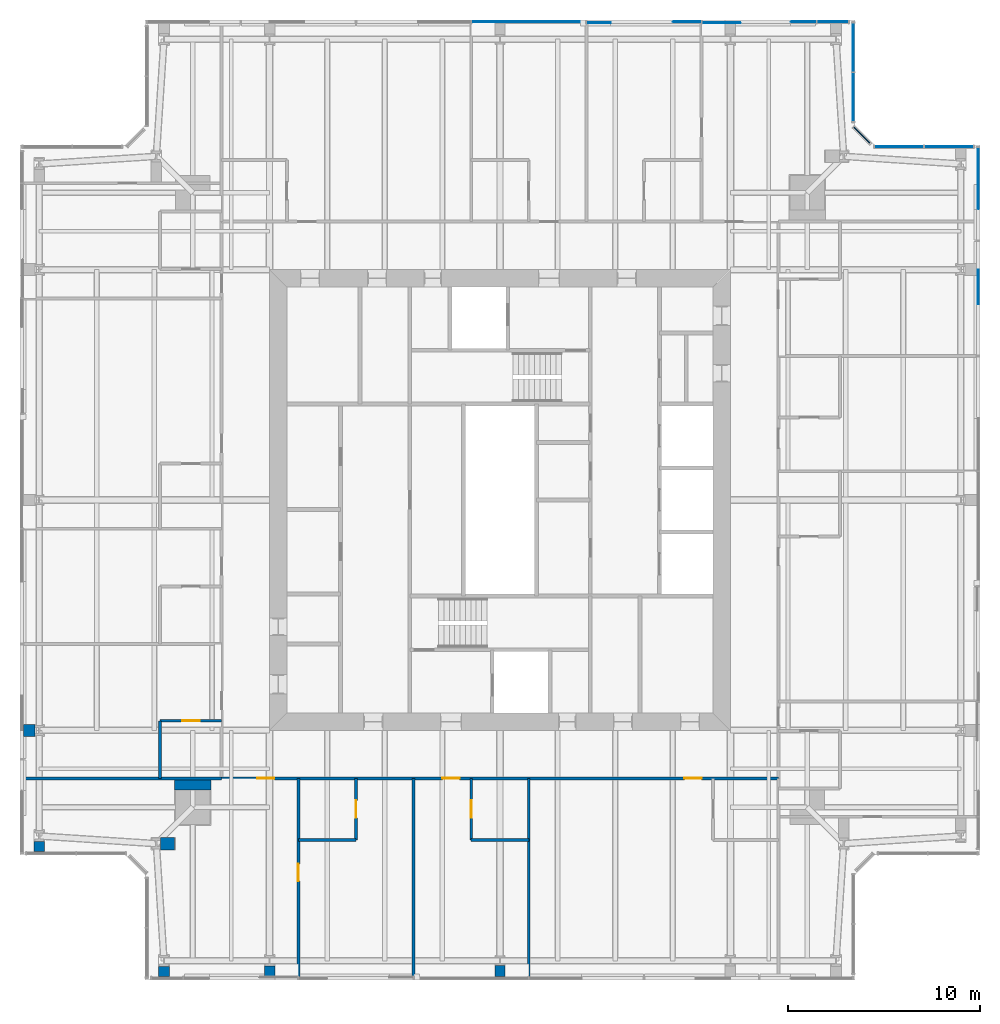
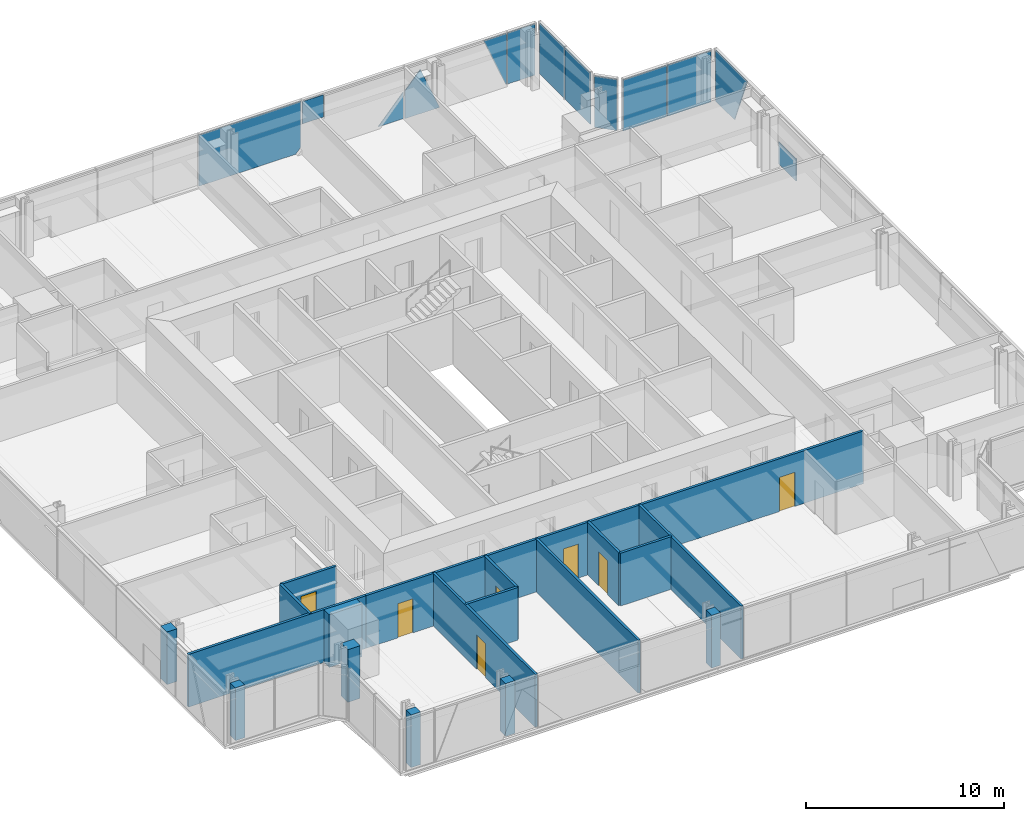
# One storey, part 11 of 18: 18 walls, 13 plates, 7 doors, 7 openings, 5 elements without a shape of their own.
"""IFC4 building model written with IfcOpenShell, lengths in metres."""

import ifcopenshell
import ifcopenshell.guid

model = None  # the IFC model being written
_history = None  # IfcOwnerHistory: only IFC2X3 demands one
_inside = {}  # id of a spatial element -> (the spatial element, [elements in it])
_under = {}  # id of a project, library or spatial element -> (it, [spatial elements below it])
_declared = {}  # id of a project -> (the project, [libraries it declares])
_typed = {}  # id of a type object -> (the type object, [elements of that type])
_made_of = {}  # id of a material, layer set ... -> (it, [elements and type objects made of it])


def new_model(schema):
    """Start an empty IFC model of exactly this schema.

    Asked for "IFC4X3", IfcOpenShell would pick the latest addendum, in which some entities
    have other attributes; the version numbers below select the first issue.
    IFC2X3 requires an IfcOwnerHistory on every rooted entity: one is made here for all.
    """
    global model, _history
    if schema == "IFC4X3":
        model = ifcopenshell.file(schema_version=(4, 3, 0, 0))
    else:
        model = ifcopenshell.file(schema=schema)
    _inside.clear()
    _under.clear()
    _declared.clear()
    _typed.clear()
    _made_of.clear()
    _history = None
    if model.schema == "IFC2X3":
        org = make("IfcOrganization", Name="unknown")
        user = make(
            "IfcPersonAndOrganization",
            ThePerson=make("IfcPerson", FamilyName="unknown"),
            TheOrganization=org,
        )
        app = make(
            "IfcApplication",
            ApplicationDeveloper=org,
            Version="unknown",
            ApplicationFullName="unknown",
            ApplicationIdentifier="unknown",
        )
        _history = make(
            "IfcOwnerHistory",
            OwningUser=user,
            OwningApplication=app,
            ChangeAction="ADDED",
            CreationDate=0,
        )
    return model


def make(cls, **values):
    """One entity of the class cls with the attributes given. An attribute that is None is left unset."""
    return model.create_entity(
        cls, **{name: value for name, value in values.items() if value is not None}
    )


def rooted(cls, **values):
    """An entity with a GlobalId (a new one), such as an element, a storey or a relation."""
    return make(cls, GlobalId=ifcopenshell.guid.new(), OwnerHistory=_history, **values)


def si_unit(unit_type, name, prefix=None):
    """IfcSIUnit, for example si_unit("LENGTHUNIT", "METRE", prefix="MILLI")."""
    return make("IfcSIUnit", UnitType=unit_type, Prefix=prefix, Name=name)


def assignment(units):
    """IfcUnitAssignment: the units of a project."""
    return None if units is None else make("IfcUnitAssignment", Units=units)


def point(xyz):
    """IfcCartesianPoint."""
    return None if xyz is None else make("IfcCartesianPoint", Coordinates=xyz)


def direction(xyz):
    """IfcDirection."""
    return None if xyz is None else make("IfcDirection", DirectionRatios=xyz)


def frame(location, z_axis=None, x_axis=None):
    """IfcAxis2Placement3D, a coordinate frame: its origin and axes. An axis left out is left unset."""
    return make(
        "IfcAxis2Placement3D",
        Location=point(location),
        Axis=direction(z_axis),
        RefDirection=direction(x_axis),
    )


def frame_2d(location, x_axis=None):
    """IfcAxis2Placement2D, a coordinate frame in the plane: its origin and x axis."""
    return make(
        "IfcAxis2Placement2D", Location=point(location), RefDirection=direction(x_axis)
    )


def origin():
    """The frame at (0, 0, 0) with its axes left unset."""
    return frame((0.0, 0.0, 0.0))


def origin_2d():
    """The frame at (0, 0) in the plane with its x axis left unset."""
    return frame_2d((0.0, 0.0))


def place(relative_to, where):
    """IfcLocalPlacement: puts the frame where relative to a parent placement (None: the world)."""
    return make(
        "IfcLocalPlacement", PlacementRelTo=relative_to, RelativePlacement=where
    )


def context(
    kind, dimensions, precision=None, world=None, true_north=None, identifier=None
):
    """IfcGeometricRepresentationContext, for example the 3D "Model" context."""
    return make(
        "IfcGeometricRepresentationContext",
        ContextIdentifier=identifier,
        ContextType=kind,
        CoordinateSpaceDimension=dimensions,
        Precision=precision,
        WorldCoordinateSystem=world,
        TrueNorth=true_north,
    )


def subcontext(parent, identifier, kind, view, scale=None):
    """IfcGeometricRepresentationSubContext, for example "Body" below "Model"."""
    return make(
        "IfcGeometricRepresentationSubContext",
        ContextIdentifier=identifier,
        ContextType=kind,
        ParentContext=parent,
        TargetScale=scale,
        TargetView=view,
    )


def project(units=None, contexts=None):
    """IfcProject with its units and contexts."""
    return rooted(
        "IfcProject",
        Name="project",
        RepresentationContexts=contexts,
        UnitsInContext=assignment(units),
    )


def spatial(cls, under=None, at=None, **own):
    """A site, building, storey or space (cls), placed at a placement, below another one or the project."""
    s = rooted(cls, ObjectPlacement=at, **own)
    if under is not None:
        _under.setdefault(under.id(), (under, []))[1].append(s)
    return s


def polyline(points):
    """IfcPolyline through the points."""
    return make("IfcPolyline", Points=[point(p) for p in points])


def profile(cls, at=None, kind="AREA", **sizes):
    """A parametric profile (cls). Its sizes go by their IFC names, for example OverallWidth=200.0."""
    return make(cls, ProfileType=kind, Position=at, **sizes)


def rectangle(**sizes):
    """IfcRectangleProfileDef."""
    return profile("IfcRectangleProfileDef", **sizes)


def outline(outer, holes=None, kind="AREA"):
    """IfcArbitraryClosedProfileDef: a profile drawn as a closed curve; with holes, ...WithVoids."""
    if holes is None:
        return make("IfcArbitraryClosedProfileDef", ProfileType=kind, OuterCurve=outer)
    return make(
        "IfcArbitraryProfileDefWithVoids",
        ProfileType=kind,
        OuterCurve=outer,
        InnerCurves=holes,
    )


def extrude(swept, where, along, depth):
    """IfcExtrudedAreaSolid: the profile swept, set in the frame where, extruded along a direction by depth."""
    return make(
        "IfcExtrudedAreaSolid",
        SweptArea=swept,
        Position=where,
        ExtrudedDirection=direction(along),
        Depth=depth,
    )


def shape(context_of_items, identifier, shape_type, items):
    """IfcShapeRepresentation: the items that make up one representation, for example the "Body"."""
    return make(
        "IfcShapeRepresentation",
        ContextOfItems=context_of_items,
        RepresentationIdentifier=identifier,
        RepresentationType=shape_type,
        Items=items,
    )


def material(Name=None, Category=None):
    """IfcMaterial."""
    return make("IfcMaterial", Name=Name, Category=Category)


def layer(
    of_material, thickness, ventilated=None, Name=None, Category=None, Priority=None
):
    """IfcMaterialLayer: one layer of a wall or slab, of a material (None: an air gap)."""
    return make(
        "IfcMaterialLayer",
        Material=of_material,
        LayerThickness=thickness,
        IsVentilated=ventilated,
        Name=Name,
        Category=Category,
        Priority=Priority,
    )


def layer_set(layers, Name=None):
    """IfcMaterialLayerSet."""
    return make("IfcMaterialLayerSet", MaterialLayers=layers, LayerSetName=Name)


def made_of(thing, what):
    """Note that an element or type object is made of a material, layer set ...; save() writes the relation."""
    if what is not None:
        _made_of.setdefault(what.id(), (what, []))[1].append(thing)
    return thing


def type_object(cls, material=None, **own):
    """A type object (cls), such as IfcWallType, which elements share."""
    return made_of(rooted(cls, **own), material)


def element(
    cls,
    number,
    at=None,
    inside=None,
    cuts=None,
    type_object=None,
    material=None,
    context=None,
    identifier="Body",
    shape_type=None,
    held_by="IfcProductDefinitionShape",
    body=None,
    shapes=None,
    **own,
):
    """One element of the class cls, such as IfcWall. Its Tag is "e" and its number.

    at: its placement. inside: the storey or other place that contains it. cuts: it is an
    opening in that element (IfcRelVoidsElement). A single representation is given by context,
    identifier, shape_type and body (its items); several are given by shapes. held_by: the class
    of the entity that holds the representations. save() writes the other relations.
    """
    e = rooted(cls, Tag="e%d" % number, ObjectPlacement=at, **own)
    if body is not None:
        shapes = [shape(context, identifier, shape_type, body)]
    if shapes is not None:
        e.Representation = make(held_by, Representations=shapes)
    if inside is not None:
        _inside.setdefault(inside.id(), (inside, []))[1].append(e)
    if cuts is not None:
        rooted(
            "IfcRelVoidsElement", RelatingBuildingElement=cuts, RelatedOpeningElement=e
        )
    if type_object is not None:
        _typed.setdefault(type_object.id(), (type_object, []))[1].append(e)
    return made_of(e, material)


def fill(opening, filler):
    """IfcRelFillsElement: the door or window that sits in an opening."""
    return rooted(
        "IfcRelFillsElement",
        RelatingOpeningElement=opening,
        RelatedBuildingElement=filler,
    )


def aggregate(whole, parts):
    """IfcRelAggregates: a whole, such as a stair, and the parts it consists of."""
    return rooted("IfcRelAggregates", RelatingObject=whole, RelatedObjects=parts)


def save(model, path):
    """Write the relations noted so far, then the file.

    IfcRelAggregates (storeys below a building ...), IfcRelContainedInSpatialStructure (elements
    in a storey), IfcRelDefinesByType, IfcRelAssociatesMaterial and IfcRelDeclares: one each for
    every whole, place, type object, material and project.
    """
    for whole, parts in _under.values():
        aggregate(whole, parts)
    for where, things in _inside.values():
        rooted(
            "IfcRelContainedInSpatialStructure",
            RelatedElements=things,
            RelatingStructure=where,
        )
    for kind, things in _typed.values():
        rooted("IfcRelDefinesByType", RelatedObjects=things, RelatingType=kind)
    for what, things in _made_of.values():
        rooted("IfcRelAssociatesMaterial", RelatedObjects=things, RelatingMaterial=what)
    for by, libraries in _declared.values():
        rooted("IfcRelDeclares", RelatingContext=by, RelatedDefinitions=libraries)
    model.write(path)


model = new_model("IFC4")

# Units and contexts
model_context = context("Model", 3, precision=1e-05, world=origin(), true_north=direction((0.0, 1.0)))
body_context = subcontext(model_context, "Body", "Model", "MODEL_VIEW")
ifc_project = project(units=[si_unit("LENGTHUNIT", "METRE"), si_unit("AREAUNIT", "SQUARE_METRE"), si_unit("VOLUMEUNIT", "CUBIC_METRE"), si_unit("PLANEANGLEUNIT", "RADIAN"), si_unit("MASSUNIT", "GRAM", prefix="KILO")], contexts=[model_context])

# Site, building, storey
site_placement = place(None, origin())
site = spatial("IfcSite", under=ifc_project, at=site_placement, CompositionType="ELEMENT")
building_placement = place(site_placement, origin())
building = spatial("IfcBuilding", under=site, at=building_placement, Name="Fenwick Lantern Interchange", CompositionType="ELEMENT")
storey_placement = place(building_placement, frame((0.0, 0.0, 290.0)))
storey = spatial("IfcBuildingStorey", under=building, at=storey_placement, Name="L70", CompositionType="ELEMENT", Elevation=290.0)

# Curtain wall, plates
ifc_material_1 = material(Name="Aluminium curtain wall frame", Category="aluminium")
curtain_wall_type = type_object("IfcCurtainWallType", Name="HOTEL CURTAIN WALL", PredefinedType="USERDEFINED", material=ifc_material_1)
curtain_wall_1_placement = place(storey_placement, origin())
curtain_wall_1 = element("IfcCurtainWall", 1, at=curtain_wall_1_placement, inside=storey, type_object=curtain_wall_type, Name="Hotel curtain wall 05", ObjectType="HOTEL CURTAIN WALL", PredefinedType="USERDEFINED")
ifc_material_2 = material(Name="Vision glass, acoustic laminated double glazed unit", Category="glass")
ifc_layer_1 = layer(ifc_material_2, 0.052001953125)
ifc_layer_set_1 = layer_set([ifc_layer_1], Name="HOTEL CURTAIN WALL PANEL 52")
plate_type = type_object("IfcPlateType", Name="HOTEL CURTAIN WALL PANEL 52", PredefinedType="CURTAIN_PANEL", material=ifc_layer_set_1)
plate_1_placement = place(storey_placement, frame((49.89990234375, 6.60009765625, 0.0), z_axis=(0.0, 0.0, 1.0), x_axis=(0.0, 1.0, 0.0)))
plate_1 = element("IfcPlate", 2, at=plate_1_placement, type_object=plate_type, Name="L70/CW/05/P05a", PredefinedType="CURTAIN_PANEL", context=body_context, shape_type="SweptSolid", body=[
    extrude(outline(polyline([(28.599853515625, 0.0), (30.385009765625, 0.0), (30.385009765625, 1.348388671875), (28.599853515625, 1.348388671875), (28.599853515625, 0.0)])), frame((0.0, 0.02587890625, 0.0), z_axis=(0.0, -1.0, 0.0), x_axis=(1.0, 0.0, 0.0)), (0.0, 0.0, 1.0), 0.052001953125),
])
plate_2_placement = place(storey_placement, frame((49.89990234375, 6.60009765625, 0.0), z_axis=(0.0, 0.0, 1.0), x_axis=(0.0, 1.0, 0.0)))
plate_2 = element("IfcPlate", 3, at=plate_2_placement, type_object=plate_type, Name="L70/CW/05/P06a", PredefinedType="CURTAIN_PANEL", context=body_context, shape_type="SweptSolid", body=[
    extrude(outline(polyline([(34.8232421875, 0.0), (36.739990234375, 0.0), (36.739990234375, 3.14990234375), (33.53857421875, 3.14990234375), (34.8232421875, 0.0)])), frame((0.0, 0.02587890625, 0.0), z_axis=(0.0, -1.0, 0.0), x_axis=(1.0, 0.0, 0.0)), (0.0, 0.0, 1.0), 0.052001953125),
])
aggregate(curtain_wall_1, [plate_1, plate_2])

curtain_wall_2_placement = place(storey_placement, origin())
curtain_wall_2 = element("IfcCurtainWall", 4, at=curtain_wall_2_placement, inside=storey, type_object=curtain_wall_type, Name="Hotel curtain wall 06", ObjectType="HOTEL CURTAIN WALL", PredefinedType="USERDEFINED")
plate_3_placement = place(storey_placement, frame((48.374755859375, 43.39990234375, 0.0), z_axis=(0.0, 0.0, 1.0), x_axis=(-1.0, 0.0, 0.0)))
plate_3 = element("IfcPlate", 5, at=plate_3_placement, type_object=plate_type, Name="L70/CW/06/P00", PredefinedType="CURTAIN_PANEL", context=body_context, shape_type="SweptSolid", body=[
    extrude(rectangle(XDim=2.53076171875, YDim=0.052001953125, at=origin_2d()), origin(), (0.0, 0.0, 1.0), 3.14990234375),
])
plate_4_placement = place(storey_placement, frame((45.783935546875, 43.39990234375, 0.0), z_axis=(0.0, 0.0, 1.0), x_axis=(-1.0, 0.0, 0.0)))
plate_4 = element("IfcPlate", 6, at=plate_4_placement, type_object=plate_type, Name="L70/CW/06/P01", PredefinedType="CURTAIN_PANEL", context=body_context, shape_type="SweptSolid", body=[
    extrude(rectangle(XDim=2.53076171875, YDim=0.052001953125, at=origin_2d()), origin(), (0.0, 0.0, 1.0), 3.14990234375),
])
aggregate(curtain_wall_2, [plate_3, plate_4])

# Curtain wall, plate
curtain_wall_3_placement = place(storey_placement, origin())
curtain_wall_3 = element("IfcCurtainWall", 7, at=curtain_wall_3_placement, inside=storey, type_object=curtain_wall_type, Name="Hotel curtain wall 07", ObjectType="HOTEL CURTAIN WALL", PredefinedType="USERDEFINED")
plate_5_placement = place(storey_placement, frame((43.858642578125, 44.0, 0.0), z_axis=(0.0, 0.0, 1.0), x_axis=(-0.707106781187, 0.707106781187, 0.0)))
plate_5 = element("IfcPlate", 8, at=plate_5_placement, type_object=plate_type, Name="L70/CW/07/P00", PredefinedType="CURTAIN_PANEL", context=body_context, shape_type="SweptSolid", body=[
    extrude(rectangle(XDim=1.177001953125, YDim=0.052001953125, at=origin_2d()), origin(), (0.0, 0.0, 1.0), 3.14990234375),
])
aggregate(curtain_wall_3, [plate_5])

# Curtain wall, plates
curtain_wall_4_placement = place(storey_placement, origin())
curtain_wall_4 = element("IfcCurtainWall", 9, at=curtain_wall_4_placement, inside=storey, type_object=curtain_wall_type, Name="Hotel curtain wall 08", ObjectType="HOTEL CURTAIN WALL", PredefinedType="USERDEFINED")
plate_6_placement = place(storey_placement, frame((43.39990234375, 45.98388671875, 0.0), z_axis=(0.0, 0.0, 1.0), x_axis=(0.0, 1.0, 0.0)))
plate_6 = element("IfcPlate", 10, at=plate_6_placement, type_object=plate_type, Name="L70/CW/08/P00", PredefinedType="CURTAIN_PANEL", context=body_context, shape_type="SweptSolid", body=[
    extrude(rectangle(XDim=2.53076171875, YDim=0.052001953125, at=origin_2d()), origin(), (0.0, 0.0, 1.0), 3.14990234375),
])
plate_7_placement = place(storey_placement, frame((43.39990234375, 48.57470703125, 0.0), z_axis=(0.0, 0.0, 1.0), x_axis=(0.0, 1.0, 0.0)))
plate_7 = element("IfcPlate", 11, at=plate_7_placement, type_object=plate_type, Name="L70/CW/08/P01", PredefinedType="CURTAIN_PANEL", context=body_context, shape_type="SweptSolid", body=[
    extrude(rectangle(XDim=2.53076171875, YDim=0.052001953125, at=origin_2d()), origin(), (0.0, 0.0, 1.0), 3.14990234375),
])
aggregate(curtain_wall_4, [plate_6, plate_7])

curtain_wall_5_placement = place(storey_placement, origin())
curtain_wall_5 = element("IfcCurtainWall", 12, at=curtain_wall_5_placement, inside=storey, type_object=curtain_wall_type, Name="Hotel curtain wall 09", ObjectType="HOTEL CURTAIN WALL", PredefinedType="USERDEFINED")
plate_8_placement = place(storey_placement, frame((42.3349609375, 49.89990234375, 0.0), z_axis=(0.0, 0.0, 1.0), x_axis=(-1.0, 0.0, 0.0)))
plate_8 = element("IfcPlate", 13, at=plate_8_placement, type_object=plate_type, Name="L70/CW/09/P00", PredefinedType="CURTAIN_PANEL", context=body_context, shape_type="SweptSolid", body=[
    extrude(rectangle(XDim=1.610107421875, YDim=0.052001953125, at=origin_2d()), origin(), (0.0, 0.0, 1.0), 3.14990234375),
])
plate_9_placement = place(storey_placement, frame((43.39990234375, 49.89990234375, 0.0), z_axis=(0.0, 0.0, 1.0), x_axis=(-1.0, 0.0, 0.0)))
plate_9 = element("IfcPlate", 14, at=plate_9_placement, type_object=plate_type, Name="L70/CW/09/P01a", PredefinedType="CURTAIN_PANEL", context=body_context, shape_type="SweptSolid", body=[
    extrude(outline(polyline([(1.929931640625, 0.0), (1.9765625, 0.0), (3.261474609375, 3.14990234375), (1.929931640625, 3.14990234375), (1.929931640625, 0.0)])), frame((0.0, 0.02587890625, 0.0), z_axis=(0.0, -1.0, 0.0), x_axis=(1.0, 0.0, 0.0)), (0.0, 0.0, 1.0), 0.052001953125),
])
plate_10_placement = place(storey_placement, frame((43.39990234375, 49.89990234375, 0.0), z_axis=(0.0, 0.0, 1.0), x_axis=(-1.0, 0.0, 0.0)))
plate_10 = element("IfcPlate", 15, at=plate_10_placement, type_object=plate_type, Name="L70/CW/09/P01b", PredefinedType="CURTAIN_PANEL", context=body_context, shape_type="SweptSolid", body=[
    extrude(outline(polyline([(5.864501953125, 0.0), (7.8701171875, 0.0), (7.8701171875, 1.719482421875), (6.975830078125, 2.724365234375), (5.864501953125, 0.0)])), frame((0.0, 0.080078125, 0.0), z_axis=(0.0, -1.0, 0.0), x_axis=(1.0, 0.0, 0.0)), (0.0, 0.0, 1.0), 0.052001953125),
])
plate_11_placement = place(storey_placement, frame((43.39990234375, 49.89990234375, 0.0), z_axis=(0.0, 0.0, 1.0), x_axis=(-1.0, 0.0, 0.0)))
plate_11 = element("IfcPlate", 16, at=plate_11_placement, type_object=plate_type, Name="L70/CW/09/P02a", PredefinedType="CURTAIN_PANEL", context=body_context, shape_type="SweptSolid", body=[
    extrude(outline(polyline([(7.929931640625, 0.0), (9.400146484375, 0.0), (7.929931640625, 1.652099609375), (7.929931640625, 0.0)])), frame((0.0, 0.02587890625, 0.0), z_axis=(0.0, -1.0, 0.0), x_axis=(1.0, 0.0, 0.0)), (0.0, 0.0, 1.0), 0.052001953125),
])
plate_12_placement = place(storey_placement, frame((43.39990234375, 49.89990234375, 1.7734375), z_axis=(0.0, 0.0, 1.0), x_axis=(-1.0, 0.0, 0.0)))
plate_12 = element("IfcPlate", 17, at=plate_12_placement, type_object=plate_type, Name="L70/CW/09/P02b", PredefinedType="CURTAIN_PANEL", context=body_context, shape_type="SweptSolid", body=[
    extrude(outline(polyline([(12.640869140625, 0.0), (13.8701171875, 0.0), (13.8701171875, 1.37646484375), (12.640869140625, 1.37646484375), (12.640869140625, 0.0)])), frame((0.0, 0.080078125, 0.0), z_axis=(0.0, -1.0, 0.0), x_axis=(1.0, 0.0, 0.0)), (0.0, 0.0, 1.0), 0.052001953125),
])
plate_13_placement = place(storey_placement, frame((43.39990234375, 49.89990234375, 0.0), z_axis=(0.0, 0.0, 1.0), x_axis=(-1.0, 0.0, 0.0)))
plate_13 = element("IfcPlate", 18, at=plate_13_placement, type_object=plate_type, Name="L70/CW/09/P03a", PredefinedType="CURTAIN_PANEL", context=body_context, shape_type="SweptSolid", body=[
    extrude(outline(polyline([(14.218994140625, 0.0), (19.8701171875, 0.0), (19.8701171875, 3.14990234375), (13.929931640625, 3.14990234375), (13.929931640625, 0.324951171875), (14.218994140625, 0.0)])), frame((0.0, 0.02587890625, 0.0), z_axis=(0.0, -1.0, 0.0), x_axis=(1.0, 0.0, 0.0)), (0.0, 0.0, 1.0), 0.052001953125),
])
aggregate(curtain_wall_5, [plate_8, plate_9, plate_10, plate_11, plate_12, plate_13])

# Walls
ifc_material_3 = material(Name="Fire-rated gypsum board encasement on steel studs, 2 hour", Category="steel")
ifc_layer_2 = layer(ifc_material_3, 1.89990234375)
ifc_layer_set_2 = layer_set([ifc_layer_2], Name="COLUMN PIER 1900")
wall_type_1 = type_object("IfcWallType", Name="COLUMN PIER 1900", PredefinedType="PARTITIONING", material=ifc_layer_set_2)
wall_1_placement = place(storey_placement, frame((9.0, 10.425048828125, 0.0), z_axis=(0.0, 0.0, 1.0), x_axis=(0.0, -1.0, 0.0)))
element("IfcWall", 19, at=wall_1_placement, inside=storey, type_object=wall_type_1, Name="L70/W/PIER/M1", PredefinedType="PARTITIONING", context=body_context, shape_type="SweptSolid", body=[
    extrude(rectangle(XDim=0.525146484375, YDim=1.89990234375, at=frame_2d((0.2626953125, 0.0))), origin(), (0.0, 0.0, 1.0), 3.25),
])
ifc_layer_3 = layer(ifc_material_3, 0.52392578125)
ifc_layer_set_3 = layer_set([ifc_layer_3], Name="COLUMN PIER 524")
wall_type_2 = type_object("IfcWallType", Name="COLUMN PIER 524", PredefinedType="PARTITIONING", material=ifc_layer_set_3)
wall_2_placement = place(storey_placement, frame((25.0, 0.18994140625, 0.0), z_axis=(0.0, 0.0, 1.0), x_axis=(0.0, 1.0, 0.0)))
element("IfcWall", 20, at=wall_2_placement, inside=storey, type_object=wall_type_2, Name="L70/W/PIER/CS3", PredefinedType="PARTITIONING", context=body_context, shape_type="SweptSolid", body=[
    extrude(rectangle(XDim=0.572509765625, YDim=0.52392578125, at=frame_2d((0.2861328125, 0.0))), origin(), (0.0, 0.0, 1.0), 3.25),
])
ifc_layer_4 = layer(ifc_material_3, 0.5419921875)
ifc_layer_set_4 = layer_set([ifc_layer_4], Name="COLUMN PIER 542")
wall_type_3 = type_object("IfcWallType", Name="COLUMN PIER 542", PredefinedType="PARTITIONING", material=ifc_layer_set_4)
wall_3_placement = place(storey_placement, frame((13.0, 0.18994140625, 0.0), z_axis=(0.0, 0.0, 1.0), x_axis=(0.0, 1.0, 0.0)))
element("IfcWall", 21, at=wall_3_placement, inside=storey, type_object=wall_type_3, Name="L70/W/PIER/CS2", PredefinedType="PARTITIONING", context=body_context, shape_type="SweptSolid", body=[
    extrude(rectangle(XDim=0.544677734375, YDim=0.5419921875, at=frame_2d((0.2724609375, 0.0))), origin(), (0.0, 0.0, 1.0), 3.25),
])
ifc_layer_5 = layer(ifc_material_3, 0.554931640625)
ifc_layer_set_5 = layer_set([ifc_layer_5], Name="COLUMN PIER 555")
wall_type_4 = type_object("IfcWallType", Name="COLUMN PIER 555", PredefinedType="PARTITIONING", material=ifc_layer_set_5)
for number, where, z_axis, x_axis, name in (
    (22, (7.5, 0.18994140625, 0.0), (0.0, 0.0, 1.0), (0.0, 1.0, 0.0), "L70/W/PIER/CS1"),
    (23, (1.0, 6.68994140625, 0.0), (0.0, 0.0, 1.0), (0.0, 1.0, 0.0), "L70/W/PIER/CW5"),
):
    element("IfcWall", number, at=place(storey_placement, frame(where, z_axis=z_axis, x_axis=x_axis)), inside=storey, type_object=wall_type_4, Name=name, PredefinedType="PARTITIONING", context=body_context, shape_type="SweptSolid", body=[
        extrude(rectangle(XDim=0.525634765625, YDim=0.554931640625, at=frame_2d((0.2626953125, 0.0))), origin(), (0.0, 0.0, 1.0), 3.25),
    ])
ifc_layer_6 = layer(ifc_material_3, 0.631103515625)
ifc_layer_set_6 = layer_set([ifc_layer_6], Name="COLUMN PIER 631")
wall_type_5 = type_object("IfcWallType", Name="COLUMN PIER 631", PredefinedType="PARTITIONING", material=ifc_layer_set_6)
wall_4_placement = place(storey_placement, frame((0.18994140625, 13.0, 0.0), z_axis=(0.0, 0.0, 1.0), x_axis=(1.0, 0.0, 0.0)))
element("IfcWall", 24, at=wall_4_placement, inside=storey, type_object=wall_type_5, Name="L70/W/PIER/CW4", PredefinedType="PARTITIONING", context=body_context, shape_type="SweptSolid", body=[
    extrude(rectangle(XDim=0.589111328125, YDim=0.631103515625, at=frame_2d((0.29443359375, 0.0))), origin(), (0.0, 0.0, 1.0), 3.25),
])
ifc_layer_7 = layer(ifc_material_3, 0.6689453125)
ifc_layer_set_7 = layer_set([ifc_layer_7], Name="COLUMN PIER 669")
wall_type_6 = type_object("IfcWallType", Name="COLUMN PIER 669", PredefinedType="PARTITIONING", material=ifc_layer_set_7)
wall_5_placement = place(storey_placement, frame((8.050048828125, 7.10009765625, 0.0), z_axis=(0.0, 0.0, 1.0), x_axis=(-1.0, 0.0, 0.0)))
element("IfcWall", 25, at=wall_5_placement, inside=storey, type_object=wall_type_6, Name="L70/W/PIER/CWR", PredefinedType="PARTITIONING", context=body_context, shape_type="SweptSolid", body=[
    extrude(rectangle(XDim=0.72265625, YDim=0.6689453125, at=frame_2d((0.361328125, 0.0))), origin(), (0.0, 0.0, 1.0), 3.25),
])

# Wall, openings, doors
ifc_material_4 = material(Name="Gypsum board on steel studs, 1 hour", Category="steel")
ifc_layer_8 = layer(ifc_material_4, 0.14990234375)
ifc_layer_set_8 = layer_set([ifc_layer_8], Name="CORRIDOR WALL 150")
wall_type_7 = type_object("IfcWallType", Name="CORRIDOR WALL 150", PredefinedType="PARTITIONING", material=ifc_layer_set_8)
wall_6_placement = place(storey_placement, frame((10.5, 10.5, 0.0), z_axis=(0.0, 0.0, 1.0), x_axis=(1.0, 0.0, 0.0)))
wall_6 = element("IfcWall", 26, at=wall_6_placement, inside=storey, type_object=wall_type_7, Name="L70/W/HOTEL/S/CW", PredefinedType="PARTITIONING", context=body_context, shape_type="SweptSolid", body=[
    extrude(rectangle(XDim=29.0, YDim=0.14990234375, at=frame_2d((14.5, 0.0))), origin(), (0.0, 0.0, 1.0), 3.25),
])
opening_1_placement = place(wall_6_placement, frame((1.85009765625, 0.0, 0.0)))
opening_1 = element("IfcOpeningElement", 27, at=opening_1_placement, cuts=wall_6, Name="Opening L70-D024", PredefinedType="OPENING", context=body_context, shape_type="SweptSolid", body=[
    extrude(rectangle(XDim=0.89990234375, YDim=2.10009765625, at=frame_2d((0.449951171875, 1.050048828125))), frame((0.0, 0.0849609375, 0.0), z_axis=(0.0, -1.0, 0.0), x_axis=(1.0, 0.0, 0.0)), (0.0, 0.0, 1.0), 0.169921875),
])
opening_2_placement = place(wall_6_placement, frame((11.5, 0.0, 0.0)))
opening_2 = element("IfcOpeningElement", 28, at=opening_2_placement, cuts=wall_6, Name="Opening L70-D028", PredefinedType="OPENING", context=body_context, shape_type="SweptSolid", body=[
    extrude(rectangle(XDim=0.89990234375, YDim=2.10009765625, at=frame_2d((0.449951171875, 1.050048828125))), frame((0.0, 0.0849609375, 0.0), z_axis=(0.0, -1.0, 0.0), x_axis=(1.0, 0.0, 0.0)), (0.0, 0.0, 1.0), 0.169921875),
])
opening_3_placement = place(wall_6_placement, frame((24.10009765625, 0.0, 0.0)))
opening_3 = element("IfcOpeningElement", 29, at=opening_3_placement, cuts=wall_6, Name="Opening L70-D030", PredefinedType="OPENING", context=body_context, shape_type="SweptSolid", body=[
    extrude(rectangle(XDim=0.89990234375, YDim=2.10009765625, at=frame_2d((0.449951171875, 1.050048828125))), frame((0.0, 0.0849609375, 0.0), z_axis=(0.0, -1.0, 0.0), x_axis=(1.0, 0.0, 0.0)), (0.0, 0.0, 1.0), 0.169921875),
])
ifc_material_5 = material(Name="Steel door and frame", Category="steel")
door_type_1 = type_object("IfcDoorType", Name="GUEST ROOM DOOR 900 X 2100", OperationType="SINGLE_SWING_LEFT", PredefinedType="DOOR", material=ifc_material_5)
door_1_placement = place(opening_1_placement, frame((0.89990234375, 0.0, 0.0), z_axis=(0.0, 0.0, 1.0), x_axis=(-1.0, 0.0, 0.0)))
door_1 = element("IfcDoor", 30, at=door_1_placement, inside=storey, type_object=door_type_1, Name="Guest room door", OperationType="SINGLE_SWING_LEFT", OverallHeight=2.10009765625, OverallWidth=0.89990234375, PredefinedType="DOOR", context=body_context, shape_type="SweptSolid", body=[
    extrude(rectangle(XDim=0.89990234375, YDim=2.10009765625, at=frame_2d((0.449951171875, 1.050048828125))), frame((0.0, 0.02490234375, 0.0), z_axis=(0.0, -1.0, 0.0), x_axis=(1.0, 0.0, 0.0)), (0.0, 0.0, 1.0), 0.050048828125),
])
fill(opening_1, door_1)
door_2_placement = place(opening_2_placement, frame((0.89990234375, 0.0, 0.0), z_axis=(0.0, 0.0, 1.0), x_axis=(-1.0, 0.0, 0.0)))
door_2 = element("IfcDoor", 31, at=door_2_placement, inside=storey, type_object=door_type_1, Name="Guest room door", OperationType="SINGLE_SWING_LEFT", OverallHeight=2.10009765625, OverallWidth=0.89990234375, PredefinedType="DOOR", context=body_context, shape_type="SweptSolid", body=[
    extrude(rectangle(XDim=0.89990234375, YDim=2.10009765625, at=frame_2d((0.449951171875, 1.050048828125))), frame((0.0, 0.02490234375, 0.0), z_axis=(0.0, -1.0, 0.0), x_axis=(1.0, 0.0, 0.0)), (0.0, 0.0, 1.0), 0.050048828125),
])
fill(opening_2, door_2)
door_3_placement = place(opening_3_placement, frame((0.89990234375, 0.0, 0.0), z_axis=(0.0, 0.0, 1.0), x_axis=(-1.0, 0.0, 0.0)))
door_3 = element("IfcDoor", 32, at=door_3_placement, inside=storey, type_object=door_type_1, Name="Guest room door", OperationType="SINGLE_SWING_LEFT", OverallHeight=2.10009765625, OverallWidth=0.89990234375, PredefinedType="DOOR", context=body_context, shape_type="SweptSolid", body=[
    extrude(rectangle(XDim=0.89990234375, YDim=2.10009765625, at=frame_2d((0.449951171875, 1.050048828125))), frame((0.0, 0.02490234375, 0.0), z_axis=(0.0, -1.0, 0.0), x_axis=(1.0, 0.0, 0.0)), (0.0, 0.0, 1.0), 0.050048828125),
])
fill(opening_3, door_3)

# Wall
ifc_material_6 = material(Name="Gypsum board on steel studs, moisture resistant", Category="steel")
ifc_layer_9 = layer(ifc_material_6, 0.14990234375)
ifc_layer_set_9 = layer_set([ifc_layer_9], Name="EN-SUITE WALL 150")
wall_type_8 = type_object("IfcWallType", Name="EN-SUITE WALL 150", PredefinedType="PARTITIONING", material=ifc_layer_set_9)
wall_7_placement = place(storey_placement, frame((14.5, 7.300048828125, 0.0), z_axis=(0.0, 0.0, 1.0), x_axis=(1.0, 0.0, 0.0)))
element("IfcWall", 33, at=wall_7_placement, inside=storey, type_object=wall_type_8, Name="L70/W/HOTEL/S/U1BW", PredefinedType="PARTITIONING", context=body_context, shape_type="SweptSolid", body=[
    extrude(rectangle(XDim=3.0, YDim=0.14990234375, at=frame_2d((1.5, 0.0))), origin(), (0.0, 0.0, 1.0), 3.25),
])

# Wall, opening, door
wall_8_placement = place(storey_placement, frame((17.5, 7.300048828125, 0.0), z_axis=(0.0, 0.0, 1.0), x_axis=(0.0, 1.0, 0.0)))
wall_8 = element("IfcWall", 34, at=wall_8_placement, inside=storey, type_object=wall_type_8, Name="L70/W/HOTEL/S/U1BX", PredefinedType="PARTITIONING", context=body_context, shape_type="SweptSolid", body=[
    extrude(rectangle(XDim=3.199951171875, YDim=0.14990234375, at=frame_2d((1.60009765625, 0.0))), origin(), (0.0, 0.0, 1.0), 3.25),
])
opening_4_placement = place(wall_8_placement, frame((1.14990234375, 0.0, 0.0)))
opening_4 = element("IfcOpeningElement", 35, at=opening_4_placement, cuts=wall_8, Name="Opening L70-D025", PredefinedType="OPENING", context=body_context, shape_type="SweptSolid", body=[
    extrude(rectangle(XDim=0.89990234375, YDim=2.10009765625, at=frame_2d((0.449951171875, 1.050048828125))), frame((0.0, 0.0849609375, 0.0), z_axis=(0.0, -1.0, 0.0), x_axis=(1.0, 0.0, 0.0)), (0.0, 0.0, 1.0), 0.169921875),
])
ifc_material_7 = material(Name="Hardwood door and steel frame", Category="steel")
door_type_2 = type_object("IfcDoorType", Name="EN-SUITE DOOR 900 X 2100", OperationType="SINGLE_SWING_LEFT", PredefinedType="DOOR", material=ifc_material_7)
door_4_placement = place(opening_4_placement, origin())
door_4 = element("IfcDoor", 36, at=door_4_placement, inside=storey, type_object=door_type_2, Name="En-suite door", OperationType="SINGLE_SWING_LEFT", OverallHeight=2.10009765625, OverallWidth=0.89990234375, PredefinedType="DOOR", context=body_context, shape_type="SweptSolid", body=[
    extrude(rectangle(XDim=0.89990234375, YDim=2.10009765625, at=frame_2d((0.449951171875, 1.050048828125))), frame((0.0, 0.02490234375, 0.0), z_axis=(0.0, -1.0, 0.0), x_axis=(1.0, 0.0, 0.0)), (0.0, 0.0, 1.0), 0.050048828125),
])
fill(opening_4, door_4)

# Wall
wall_9_placement = place(storey_placement, frame((23.5, 7.300048828125, 0.0), z_axis=(0.0, 0.0, 1.0), x_axis=(1.0, 0.0, 0.0)))
element("IfcWall", 37, at=wall_9_placement, inside=storey, type_object=wall_type_8, Name="L70/W/HOTEL/S/U2BW", PredefinedType="PARTITIONING", context=body_context, shape_type="SweptSolid", body=[
    extrude(rectangle(XDim=3.0, YDim=0.14990234375, at=frame_2d((1.5, 0.0))), origin(), (0.0, 0.0, 1.0), 3.25),
])

# Wall, opening, door
wall_10_placement = place(storey_placement, frame((23.5, 7.300048828125, 0.0), z_axis=(0.0, 0.0, 1.0), x_axis=(0.0, 1.0, 0.0)))
wall_10 = element("IfcWall", 38, at=wall_10_placement, inside=storey, type_object=wall_type_8, Name="L70/W/HOTEL/S/U2BX", PredefinedType="PARTITIONING", context=body_context, shape_type="SweptSolid", body=[
    extrude(rectangle(XDim=3.199951171875, YDim=0.14990234375, at=frame_2d((1.60009765625, 0.0))), origin(), (0.0, 0.0, 1.0), 3.25),
])
opening_5_placement = place(wall_10_placement, frame((1.14990234375, 0.0, 0.0)))
opening_5 = element("IfcOpeningElement", 39, at=opening_5_placement, cuts=wall_10, Name="Opening L70-D027", PredefinedType="OPENING", context=body_context, shape_type="SweptSolid", body=[
    extrude(rectangle(XDim=0.89990234375, YDim=2.10009765625, at=frame_2d((0.449951171875, 1.050048828125))), frame((0.0, 0.0849609375, 0.0), z_axis=(0.0, -1.0, 0.0), x_axis=(1.0, 0.0, 0.0)), (0.0, 0.0, 1.0), 0.169921875),
])
door_5_placement = place(opening_5_placement, frame((0.89990234375, 0.0, 0.0), z_axis=(0.0, 0.0, 1.0), x_axis=(-1.0, 0.0, 0.0)))
door_5 = element("IfcDoor", 40, at=door_5_placement, inside=storey, type_object=door_type_2, Name="En-suite door", OperationType="SINGLE_SWING_RIGHT", OverallHeight=2.10009765625, OverallWidth=0.89990234375, PredefinedType="DOOR", context=body_context, shape_type="SweptSolid", body=[
    extrude(rectangle(XDim=0.89990234375, YDim=2.10009765625, at=frame_2d((0.449951171875, 1.050048828125))), frame((0.0, 0.02490234375, 0.0), z_axis=(0.0, -1.0, 0.0), x_axis=(1.0, 0.0, 0.0)), (0.0, 0.0, 1.0), 0.050048828125),
])
fill(opening_5, door_5)

# Wall
wall_11_placement = place(storey_placement, frame((7.300048828125, 13.5, 0.0), z_axis=(0.0, 0.0, 1.0), x_axis=(0.0, -1.0, 0.0)))
element("IfcWall", 41, at=wall_11_placement, inside=storey, type_object=wall_type_8, Name="L70/W/HOTEL/W/U4BW", PredefinedType="PARTITIONING", context=body_context, shape_type="SweptSolid", body=[
    extrude(rectangle(XDim=3.0, YDim=0.14990234375, at=frame_2d((1.5, 0.0))), origin(), (0.0, 0.0, 1.0), 3.25),
])

# Wall, opening, door
wall_12_placement = place(storey_placement, frame((7.300048828125, 13.5, 0.0), z_axis=(0.0, 0.0, 1.0), x_axis=(1.0, 0.0, 0.0)))
wall_12 = element("IfcWall", 42, at=wall_12_placement, inside=storey, type_object=wall_type_8, Name="L70/W/HOTEL/W/U4BX", PredefinedType="PARTITIONING", context=body_context, shape_type="SweptSolid", body=[
    extrude(rectangle(XDim=3.199951171875, YDim=0.14990234375, at=frame_2d((1.60009765625, 0.0))), origin(), (0.0, 0.0, 1.0), 3.25),
])
opening_6_placement = place(wall_12_placement, frame((1.14990234375, 0.0, 0.0)))
opening_6 = element("IfcOpeningElement", 43, at=opening_6_placement, cuts=wall_12, Name="Opening L70-D054", PredefinedType="OPENING", context=body_context, shape_type="SweptSolid", body=[
    extrude(rectangle(XDim=0.89990234375, YDim=2.10009765625, at=frame_2d((0.449951171875, 1.050048828125))), frame((0.0, 0.0849609375, 0.0), z_axis=(0.0, -1.0, 0.0), x_axis=(1.0, 0.0, 0.0)), (0.0, 0.0, 1.0), 0.169921875),
])
door_6_placement = place(opening_6_placement, frame((0.89990234375, 0.0, 0.0), z_axis=(0.0, 0.0, 1.0), x_axis=(-1.0, 0.0, 0.0)))
door_6 = element("IfcDoor", 44, at=door_6_placement, inside=storey, type_object=door_type_2, Name="En-suite door", OperationType="SINGLE_SWING_RIGHT", OverallHeight=2.10009765625, OverallWidth=0.89990234375, PredefinedType="DOOR", context=body_context, shape_type="SweptSolid", body=[
    extrude(rectangle(XDim=0.89990234375, YDim=2.10009765625, at=frame_2d((0.449951171875, 1.050048828125))), frame((0.0, 0.02490234375, 0.0), z_axis=(0.0, -1.0, 0.0), x_axis=(1.0, 0.0, 0.0)), (0.0, 0.0, 1.0), 0.050048828125),
])
fill(opening_6, door_6)

# Walls
ifc_material_8 = material(Name="Gypsum board on steel studs, 1 hour acoustic", Category="steel")
ifc_layer_10 = layer(ifc_material_8, 0.14990234375)
ifc_layer_set_10 = layer_set([ifc_layer_10], Name="PARTY WALL 150")
wall_type_9 = type_object("IfcWallType", Name="PARTY WALL 150", PredefinedType="PARTITIONING", material=ifc_layer_set_10)
for number, where, z_axis, x_axis, name in (
    (45, (0.14990234375, 10.5, 0.0), (0.0, 0.0, 1.0), (1.0, 0.0, 0.0), "L70/W/HOTEL/S/SW3"),
    (46, (20.5, 0.14990234375, 0.0), (0.0, 0.0, 1.0), (0.0, 1.0, 0.0), "L70/W/HOTEL/S/U2PW"),
    (47, (26.5, 0.14990234375, 0.0), (0.0, 0.0, 1.0), (0.0, 1.0, 0.0), "L70/W/HOTEL/S/U3PW"),
):
    element("IfcWall", number, at=place(storey_placement, frame(where, z_axis=z_axis, x_axis=x_axis)), inside=storey, type_object=wall_type_9, Name=name, PredefinedType="PARTITIONING", context=body_context, shape_type="SweptSolid", body=[
        extrude(rectangle(XDim=10.35009765625, YDim=0.14990234375, at=frame_2d((5.175048828125, 0.0))), origin(), (0.0, 0.0, 1.0), 3.25),
    ])

# Wall, opening, door
ifc_material_9 = material(Name="Gypsum board on steel studs, acoustic", Category="steel")
ifc_layer_11 = layer(ifc_material_9, 0.14990234375)
ifc_layer_set_11 = layer_set([ifc_layer_11], Name="SUITE PARTITION 150")
wall_type_10 = type_object("IfcWallType", Name="SUITE PARTITION 150", PredefinedType="PARTITIONING", material=ifc_layer_set_11)
wall_13_placement = place(storey_placement, frame((14.5, 0.14990234375, 0.0), z_axis=(0.0, 0.0, 1.0), x_axis=(0.0, 1.0, 0.0)))
wall_13 = element("IfcWall", 48, at=wall_13_placement, inside=storey, type_object=wall_type_10, Name="L70/W/HOTEL/S/U1P", PredefinedType="PARTITIONING", context=body_context, shape_type="SweptSolid", body=[
    extrude(rectangle(XDim=10.35009765625, YDim=0.14990234375, at=frame_2d((5.175048828125, 0.0))), origin(), (0.0, 0.0, 1.0), 3.25),
])
opening_7_placement = place(wall_13_placement, frame((5.0, 0.0, 0.0)))
opening_7 = element("IfcOpeningElement", 49, at=opening_7_placement, cuts=wall_13, Name="Opening L70-D026", PredefinedType="OPENING", context=body_context, shape_type="SweptSolid", body=[
    extrude(rectangle(XDim=0.89990234375, YDim=2.10009765625, at=frame_2d((0.449951171875, 1.050048828125))), frame((0.0, 0.0849609375, 0.0), z_axis=(0.0, -1.0, 0.0), x_axis=(1.0, 0.0, 0.0)), (0.0, 0.0, 1.0), 0.169921875),
])
door_type_3 = type_object("IfcDoorType", Name="SUITE INTERNAL DOOR 900 X 2100", OperationType="SINGLE_SWING_LEFT", PredefinedType="DOOR", material=ifc_material_7)
door_7_placement = place(opening_7_placement, frame((0.89990234375, 0.0, 0.0), z_axis=(0.0, 0.0, 1.0), x_axis=(-1.0, 0.0, 0.0)))
door_7 = element("IfcDoor", 50, at=door_7_placement, inside=storey, type_object=door_type_3, Name="Suite internal door", OperationType="SINGLE_SWING_LEFT", OverallHeight=2.10009765625, OverallWidth=0.89990234375, PredefinedType="DOOR", context=body_context, shape_type="SweptSolid", body=[
    extrude(rectangle(XDim=0.89990234375, YDim=2.10009765625, at=frame_2d((0.449951171875, 1.050048828125))), frame((0.0, 0.02490234375, 0.0), z_axis=(0.0, -1.0, 0.0), x_axis=(1.0, 0.0, 0.0)), (0.0, 0.0, 1.0), 0.050048828125),
])
fill(opening_7, door_7)

save(model, "model.ifc")
